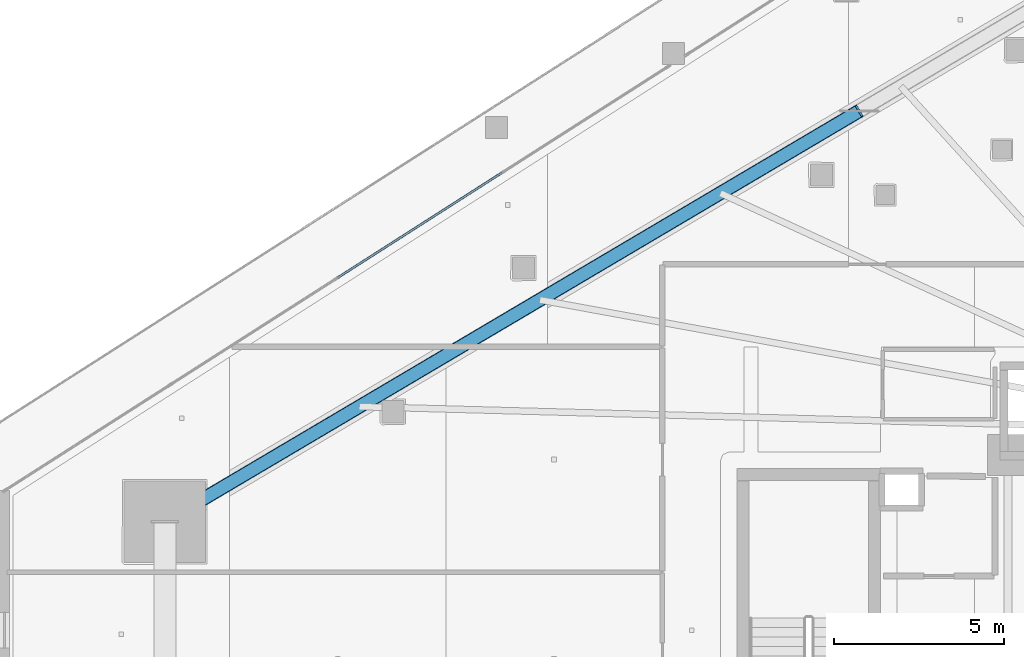
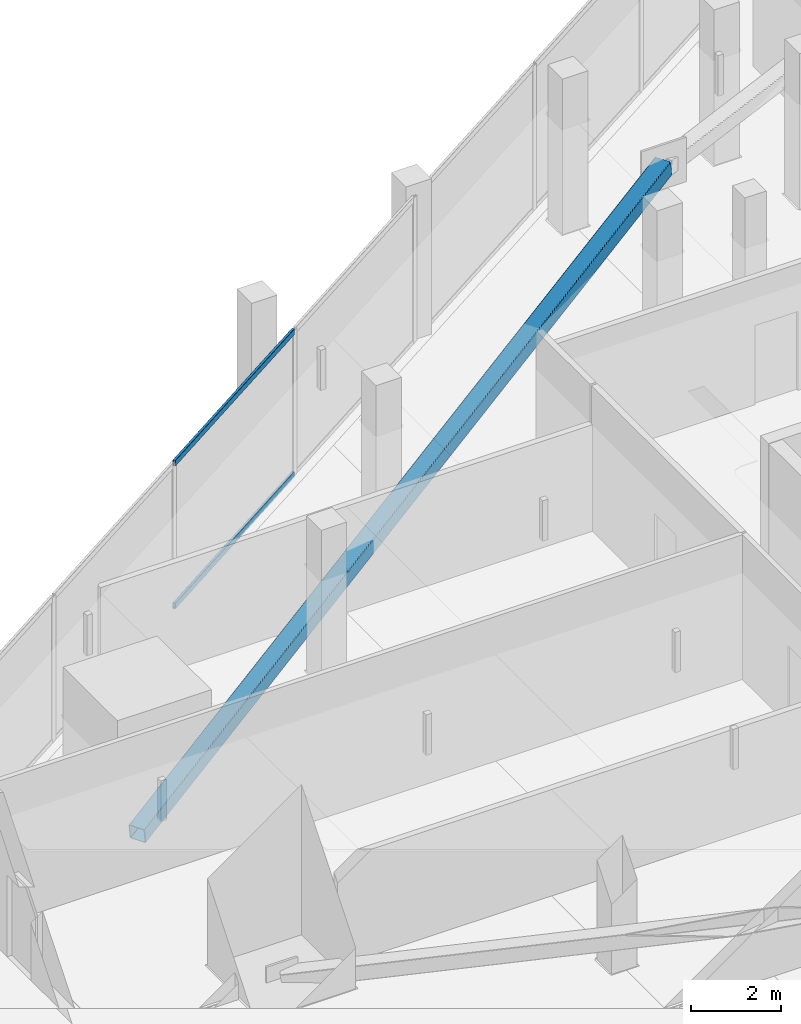
# One storey, part 17 of 52: 3 members, 1 element without a shape of its own.
"""IFC4 building model written with IfcOpenShell, lengths in metres."""

from ifc_helpers import new_model, si_unit, direction, frame, origin, origin_2d, place, context, subcontext, project, spatial, hollow_rectangle, extrude, material, layer, layer_set, material_profile, profile_set, type_object, element, aggregate, save


model = new_model("IFC4")

# Units and contexts
model_context = context("Model", 3, precision=1e-05, world=origin(), true_north=direction((0.0, 1.0)))
body_context = subcontext(model_context, "Body", "Model", "MODEL_VIEW")
ifc_project = project(units=[si_unit("LENGTHUNIT", "METRE"), si_unit("AREAUNIT", "SQUARE_METRE"), si_unit("VOLUMEUNIT", "CUBIC_METRE"), si_unit("PLANEANGLEUNIT", "RADIAN"), si_unit("MASSUNIT", "GRAM", prefix="KILO")], contexts=[model_context])

# Site, building, storey
site_placement = place(None, origin())
site = spatial("IfcSite", under=ifc_project, at=site_placement, CompositionType="ELEMENT")
building_placement = place(site_placement, origin())
building = spatial("IfcBuilding", under=site, at=building_placement, Name="Qorvath Tower", CompositionType="ELEMENT")
storey_placement = place(building_placement, frame((0.0, 0.0, 61.800048828125)))
storey = spatial("IfcBuildingStorey", under=building, at=storey_placement, Name="L13", CompositionType="ELEMENT", Elevation=61.800048828125)

# Curtain wall, members
ifc_material_1 = material(Name="Anodised aluminium and triple low-E glass", Category="aluminium")
ifc_layer = layer(ifc_material_1, 0.179931640625)
ifc_layer_set = layer_set([ifc_layer], Name="CW-SYS-2")
curtain_wall_type = type_object("IfcCurtainWallType", Name="CW-SYS-2", PredefinedType="NOTDEFINED", material=ifc_layer_set)
curtain_wall_placement = place(storey_placement, origin())
curtain_wall = element("IfcCurtainWall", 1, at=curtain_wall_placement, inside=storey, type_object=curtain_wall_type, Name="Curtain Wall CW-2 CW-T-L13-16.3", PredefinedType="NOTDEFINED")
ifc_material_2 = material(Name="Anodised aluminium 6063-T6", Category="aluminium")
ifc_material_profile_1 = material_profile(ifc_material_2, hollow_rectangle(XDim=0.06494140625, YDim=0.159912109375, WallThickness=0.00341796875, InnerFilletRadius=0.00341796875, OuterFilletRadius=0.007080078125, at=origin_2d()), Name="CWT 160x65")
ifc_profile_set_1 = profile_set([ifc_material_profile_1], Name="Anodised aluminium 6063-T6")
member_type_1 = type_object("IfcMemberType", Name="CWT-160", PredefinedType="USERDEFINED", material=ifc_profile_set_1)
member_1_placement = place(storey_placement, frame((-45.3779296875, 13.447509765625, 0.032470703125), z_axis=(-0.842607101895, -0.538528803163, 0.0), x_axis=(0.538528803163, -0.842607101895, 0.0)))
member_1 = element("IfcMember", 2, at=member_1_placement, type_object=member_type_1, Name="CW-2 transom 2.1", ObjectType="TRANSOM", PredefinedType="USERDEFINED", context=body_context, shape_type="SweptSolid", body=[
    extrude(hollow_rectangle(XDim=0.06494140625, YDim=0.159912109375, WallThickness=0.00341796875, InnerFilletRadius=0.00341796875, OuterFilletRadius=0.007080078125, at=origin_2d()), origin(), (0.0, 0.0, 1.0), 5.7294921875),
])
member_2_placement = place(storey_placement, frame((-45.3779296875, 13.447509765625, 3.887451171875), z_axis=(-0.842607101895, -0.538528803163, 0.0), x_axis=(0.538528803163, -0.842607101895, 0.0)))
member_2 = element("IfcMember", 3, at=member_2_placement, type_object=member_type_1, Name="CW-2 transom 2.2", ObjectType="TRANSOM", PredefinedType="USERDEFINED", context=body_context, shape_type="SweptSolid", body=[
    extrude(hollow_rectangle(XDim=0.06494140625, YDim=0.159912109375, WallThickness=0.00341796875, InnerFilletRadius=0.00341796875, OuterFilletRadius=0.007080078125, at=origin_2d()), origin(), (0.0, 0.0, 1.0), 5.7294921875),
])
aggregate(curtain_wall, [member_1, member_2])

# Member
ifc_material_3 = material(Name="Steel ASTM A500 Grade C", Category="steel")
ifc_material_profile_2 = material_profile(ifc_material_3, hollow_rectangle(XDim=0.406494140625, YDim=0.406494140625, WallThickness=0.015869140625, InnerFilletRadius=0.015869140625, OuterFilletRadius=0.03173828125, at=origin_2d()), Name="HSS 406x406x16")
ifc_profile_set_2 = profile_set([ifc_material_profile_2], Name="Steel ASTM A500 Grade C")
member_type_2 = type_object("IfcMemberType", Name="MEM-MB1", PredefinedType="BRACE", material=ifc_profile_set_2)
member_3_placement = place(storey_placement, frame((-55.282958984375, 3.194580078125, 0.0), z_axis=(0.85118128098, 0.503310468206, 0.148892577058), x_axis=(-0.50898392026, 0.86077602715, 0.0)))
element("IfcMember", 4, at=member_3_placement, inside=storey, type_object=member_type_2, Name="Perimeter Chevron Brace L13-1B", PredefinedType="BRACE", context=body_context, shape_type="SweptSolid", body=[
    extrude(hollow_rectangle(XDim=0.406494140625, YDim=0.406494140625, WallThickness=0.015869140625, InnerFilletRadius=0.015869140625, OuterFilletRadius=0.03173828125, at=origin_2d()), origin(), (0.0, 0.0, 1.0), 23.9775390625),
])

save(model, "model.ifc")
